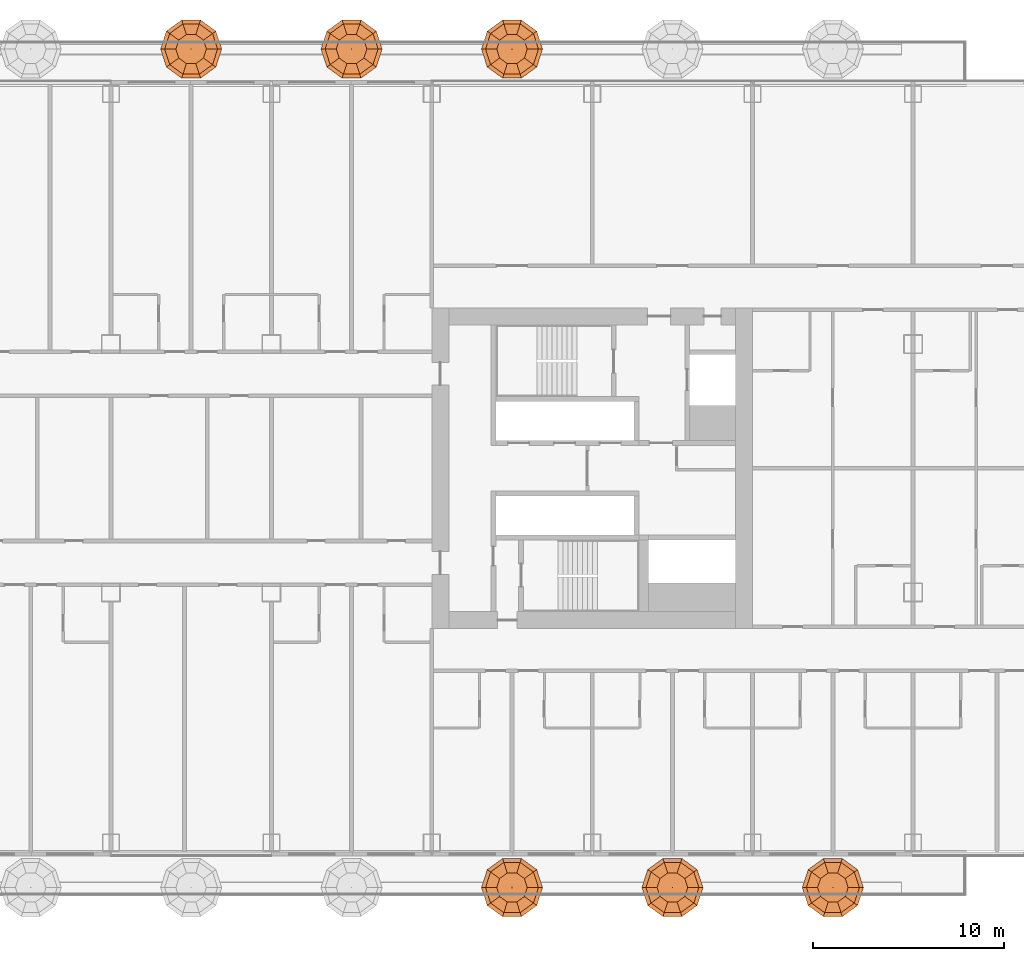
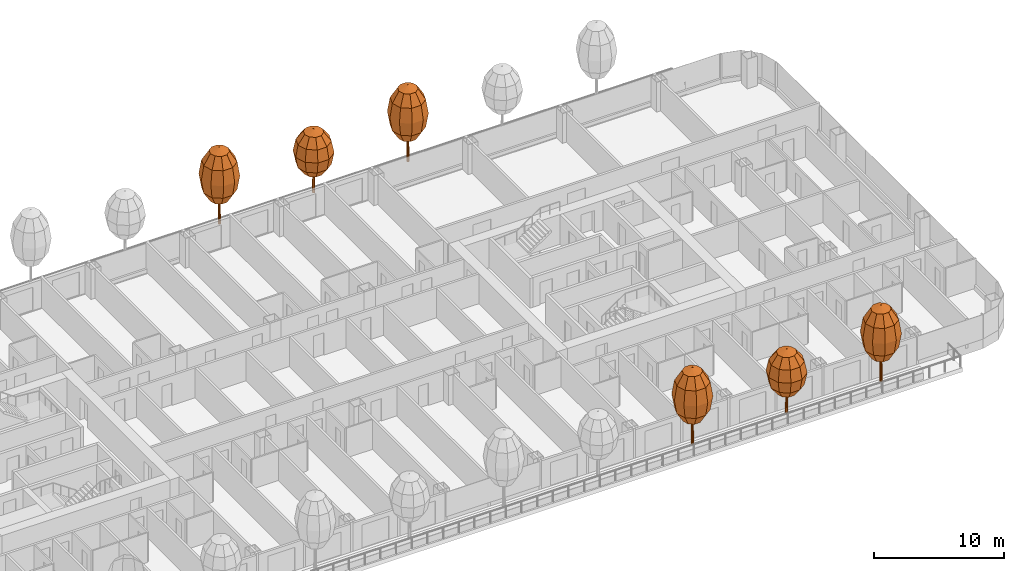
# One storey, part 36 of 37: 6 geographic elements.
"""IFC4 building model written with IfcOpenShell, lengths in metres."""

import ifcopenshell
import ifcopenshell.guid

model = None  # the IFC model being written
_history = None  # IfcOwnerHistory: only IFC2X3 demands one
_inside = {}  # id of a spatial element -> (the spatial element, [elements in it])
_under = {}  # id of a project, library or spatial element -> (it, [spatial elements below it])
_declared = {}  # id of a project -> (the project, [libraries it declares])
_typed = {}  # id of a type object -> (the type object, [elements of that type])
_made_of = {}  # id of a material, layer set ... -> (it, [elements and type objects made of it])


def new_model(schema):
    """Start an empty IFC model of exactly this schema.

    Asked for "IFC4X3", IfcOpenShell would pick the latest addendum, in which some entities
    have other attributes; the version numbers below select the first issue.
    IFC2X3 requires an IfcOwnerHistory on every rooted entity: one is made here for all.
    """
    global model, _history
    if schema == "IFC4X3":
        model = ifcopenshell.file(schema_version=(4, 3, 0, 0))
    else:
        model = ifcopenshell.file(schema=schema)
    _inside.clear()
    _under.clear()
    _declared.clear()
    _typed.clear()
    _made_of.clear()
    _history = None
    if model.schema == "IFC2X3":
        org = make("IfcOrganization", Name="unknown")
        user = make(
            "IfcPersonAndOrganization",
            ThePerson=make("IfcPerson", FamilyName="unknown"),
            TheOrganization=org,
        )
        app = make(
            "IfcApplication",
            ApplicationDeveloper=org,
            Version="unknown",
            ApplicationFullName="unknown",
            ApplicationIdentifier="unknown",
        )
        _history = make(
            "IfcOwnerHistory",
            OwningUser=user,
            OwningApplication=app,
            ChangeAction="ADDED",
            CreationDate=0,
        )
    return model


def make(cls, **values):
    """One entity of the class cls with the attributes given. An attribute that is None is left unset."""
    return model.create_entity(
        cls, **{name: value for name, value in values.items() if value is not None}
    )


def rooted(cls, **values):
    """An entity with a GlobalId (a new one), such as an element, a storey or a relation."""
    return make(cls, GlobalId=ifcopenshell.guid.new(), OwnerHistory=_history, **values)


def si_unit(unit_type, name, prefix=None):
    """IfcSIUnit, for example si_unit("LENGTHUNIT", "METRE", prefix="MILLI")."""
    return make("IfcSIUnit", UnitType=unit_type, Prefix=prefix, Name=name)


def assignment(units):
    """IfcUnitAssignment: the units of a project."""
    return None if units is None else make("IfcUnitAssignment", Units=units)


def point(xyz):
    """IfcCartesianPoint."""
    return None if xyz is None else make("IfcCartesianPoint", Coordinates=xyz)


def direction(xyz):
    """IfcDirection."""
    return None if xyz is None else make("IfcDirection", DirectionRatios=xyz)


def frame(location, z_axis=None, x_axis=None):
    """IfcAxis2Placement3D, a coordinate frame: its origin and axes. An axis left out is left unset."""
    return make(
        "IfcAxis2Placement3D",
        Location=point(location),
        Axis=direction(z_axis),
        RefDirection=direction(x_axis),
    )


def origin():
    """The frame at (0, 0, 0) with its axes left unset."""
    return frame((0.0, 0.0, 0.0))


def place(relative_to, where):
    """IfcLocalPlacement: puts the frame where relative to a parent placement (None: the world)."""
    return make(
        "IfcLocalPlacement", PlacementRelTo=relative_to, RelativePlacement=where
    )


def context(
    kind, dimensions, precision=None, world=None, true_north=None, identifier=None
):
    """IfcGeometricRepresentationContext, for example the 3D "Model" context."""
    return make(
        "IfcGeometricRepresentationContext",
        ContextIdentifier=identifier,
        ContextType=kind,
        CoordinateSpaceDimension=dimensions,
        Precision=precision,
        WorldCoordinateSystem=world,
        TrueNorth=true_north,
    )


def subcontext(parent, identifier, kind, view, scale=None):
    """IfcGeometricRepresentationSubContext, for example "Body" below "Model"."""
    return make(
        "IfcGeometricRepresentationSubContext",
        ContextIdentifier=identifier,
        ContextType=kind,
        ParentContext=parent,
        TargetScale=scale,
        TargetView=view,
    )


def project(units=None, contexts=None):
    """IfcProject with its units and contexts."""
    return rooted(
        "IfcProject",
        Name="project",
        RepresentationContexts=contexts,
        UnitsInContext=assignment(units),
    )


def spatial(cls, under=None, at=None, **own):
    """A site, building, storey or space (cls), placed at a placement, below another one or the project."""
    s = rooted(cls, ObjectPlacement=at, **own)
    if under is not None:
        _under.setdefault(under.id(), (under, []))[1].append(s)
    return s


def point_list(points):
    """IfcCartesianPointList2D or 3D."""
    cls = (
        "IfcCartesianPointList2D" if len(points[0]) == 2 else "IfcCartesianPointList3D"
    )
    return make(cls, CoordList=points)


def triangles(points, corners, closed=None, point_numbers=None):
    """IfcTriangulatedFaceSet: each triangle names its three corners, points numbered from 1."""
    return make(
        "IfcTriangulatedFaceSet",
        Coordinates=point_list(points),
        Closed=closed,
        CoordIndex=corners,
        PnIndex=point_numbers,
    )


def shape(context_of_items, identifier, shape_type, items):
    """IfcShapeRepresentation: the items that make up one representation, for example the "Body"."""
    return make(
        "IfcShapeRepresentation",
        ContextOfItems=context_of_items,
        RepresentationIdentifier=identifier,
        RepresentationType=shape_type,
        Items=items,
    )


def material(Name=None, Category=None):
    """IfcMaterial."""
    return make("IfcMaterial", Name=Name, Category=Category)


def made_of(thing, what):
    """Note that an element or type object is made of a material, layer set ...; save() writes the relation."""
    if what is not None:
        _made_of.setdefault(what.id(), (what, []))[1].append(thing)
    return thing


def type_object(cls, material=None, **own):
    """A type object (cls), such as IfcWallType, which elements share."""
    return made_of(rooted(cls, **own), material)


def element(
    cls,
    number,
    at=None,
    inside=None,
    cuts=None,
    type_object=None,
    material=None,
    context=None,
    identifier="Body",
    shape_type=None,
    held_by="IfcProductDefinitionShape",
    body=None,
    shapes=None,
    **own,
):
    """One element of the class cls, such as IfcWall. Its Tag is "e" and its number.

    at: its placement. inside: the storey or other place that contains it. cuts: it is an
    opening in that element (IfcRelVoidsElement). A single representation is given by context,
    identifier, shape_type and body (its items); several are given by shapes. held_by: the class
    of the entity that holds the representations. save() writes the other relations.
    """
    e = rooted(cls, Tag="e%d" % number, ObjectPlacement=at, **own)
    if body is not None:
        shapes = [shape(context, identifier, shape_type, body)]
    if shapes is not None:
        e.Representation = make(held_by, Representations=shapes)
    if inside is not None:
        _inside.setdefault(inside.id(), (inside, []))[1].append(e)
    if cuts is not None:
        rooted(
            "IfcRelVoidsElement", RelatingBuildingElement=cuts, RelatedOpeningElement=e
        )
    if type_object is not None:
        _typed.setdefault(type_object.id(), (type_object, []))[1].append(e)
    return made_of(e, material)


def aggregate(whole, parts):
    """IfcRelAggregates: a whole, such as a stair, and the parts it consists of."""
    return rooted("IfcRelAggregates", RelatingObject=whole, RelatedObjects=parts)


def save(model, path):
    """Write the relations noted so far, then the file.

    IfcRelAggregates (storeys below a building ...), IfcRelContainedInSpatialStructure (elements
    in a storey), IfcRelDefinesByType, IfcRelAssociatesMaterial and IfcRelDeclares: one each for
    every whole, place, type object, material and project.
    """
    for whole, parts in _under.values():
        aggregate(whole, parts)
    for where, things in _inside.values():
        rooted(
            "IfcRelContainedInSpatialStructure",
            RelatedElements=things,
            RelatingStructure=where,
        )
    for kind, things in _typed.values():
        rooted("IfcRelDefinesByType", RelatedObjects=things, RelatingType=kind)
    for what, things in _made_of.values():
        rooted("IfcRelAssociatesMaterial", RelatedObjects=things, RelatingMaterial=what)
    for by, libraries in _declared.values():
        rooted("IfcRelDeclares", RelatingContext=by, RelatedDefinitions=libraries)
    model.write(path)


model = new_model("IFC4")

# Units and contexts
model_context = context("Model", 3, precision=1e-05, world=origin(), true_north=direction((0.0, 1.0)))
body_context = subcontext(model_context, "Body", "Model", "MODEL_VIEW")
ifc_project = project(units=[si_unit("LENGTHUNIT", "METRE"), si_unit("AREAUNIT", "SQUARE_METRE"), si_unit("VOLUMEUNIT", "CUBIC_METRE"), si_unit("PLANEANGLEUNIT", "RADIAN"), si_unit("MASSUNIT", "GRAM", prefix="KILO")], contexts=[model_context])

# Site, building, storey
site_placement = place(None, origin())
site = spatial("IfcSite", under=ifc_project, at=site_placement, CompositionType="ELEMENT")
building_placement = place(site_placement, origin())
building = spatial("IfcBuilding", under=site, at=building_placement, Name="Hakoniwa Tower and Hamabe Station Hall", CompositionType="ELEMENT")
storey_placement = place(building_placement, frame((0.0, 0.0, 39.0)))
storey = spatial("IfcBuildingStorey", under=building, at=storey_placement, Name="L10", CompositionType="ELEMENT", Elevation=39.0)

# Geographic elements
ifc_material_1 = material(Name="Tree foliage")
geographic_element_type_1 = type_object("IfcGeographicElementType", Name="Japanese maple 7.2 m", PredefinedType="USERDEFINED", material=ifc_material_1)
geographic_element_1_placement = place(storey_placement, frame((4.199951171875, 21.949951171875, 0.89990234375)))
element("IfcGeographicElement", 1, at=geographic_element_1_placement, inside=storey, type_object=geographic_element_type_1, Name="Japanese maple 7-2 m", ObjectType="TREE", PredefinedType="USERDEFINED", context=body_context, shape_type="Tessellation", body=[
    triangles([(0.125, 0.0, 0.0), (0.08837890625, 0.08837890625, 0.0), (0.0, 0.125, 0.0), (-0.08837890625, 0.08837890625, 0.0), (-0.125, 0.0, 0.0), (-0.08837890625, -0.08837890625, 0.0), (0.0, -0.125, 0.0), (0.08837890625, -0.08837890625, 0.0), (0.074951171875, 0.0, 4.348876953125), (0.052978515625, 0.052978515625, 4.348876953125), (0.0, 0.074951171875, 4.348876953125), (-0.052978515625, 0.052978515625, 4.348876953125), (-0.074951171875, 0.0, 4.348876953125), (-0.052978515625, -0.052978515625, 4.348876953125), (0.0, -0.074951171875, 4.348876953125), (0.052978515625, -0.052978515625, 4.348876953125), (0.0, 0.0, 0.0), (0.0, 0.0, 4.348876953125)], [[1, 2, 10], [1, 10, 9], [17, 2, 1], [18, 9, 10], [2, 3, 11], [2, 11, 10], [17, 3, 2], [18, 10, 11], [3, 4, 12], [3, 12, 11], [17, 4, 3], [18, 11, 12], [4, 5, 13], [4, 13, 12], [17, 5, 4], [18, 12, 13], [5, 6, 14], [5, 14, 13], [17, 6, 5], [18, 13, 14], [6, 7, 15], [6, 15, 14], [17, 7, 6], [18, 14, 15], [7, 8, 16], [7, 16, 15], [17, 8, 7], [18, 15, 16], [8, 1, 9], [8, 9, 16], [17, 1, 8], [18, 16, 9]], closed=True),
    triangles([(0.0, 0.0, 2.015869140625), (0.800048828125, 0.0, 2.36328125), (0.647216796875, 0.47021484375, 2.36328125), (0.247314453125, 0.7607421875, 2.36328125), (-0.247314453125, 0.7607421875, 2.36328125), (-0.647216796875, 0.47021484375, 2.36328125), (-0.800048828125, 0.0, 2.36328125), (-0.647216796875, -0.47021484375, 2.36328125), (-0.247314453125, -0.7607421875, 2.36328125), (0.247314453125, -0.7607421875, 2.36328125), (0.647216796875, -0.47021484375, 2.36328125), (1.385498046875, 0.0, 3.31201171875), (1.12109375, 0.814453125, 3.31201171875), (0.42822265625, 1.31787109375, 3.31201171875), (-0.42822265625, 1.31787109375, 3.31201171875), (-1.12109375, 0.814453125, 3.31201171875), (-1.385498046875, 0.0, 3.31201171875), (-1.12109375, -0.814453125, 3.31201171875), (-0.42822265625, -1.31787109375, 3.31201171875), (0.42822265625, -1.31787109375, 3.31201171875), (1.12109375, -0.814453125, 3.31201171875), (1.60009765625, 0.0, 4.60791015625), (1.29443359375, 0.9404296875, 4.60791015625), (0.494384765625, 1.521728515625, 4.60791015625), (-0.494384765625, 1.521728515625, 4.60791015625), (-1.29443359375, 0.9404296875, 4.60791015625), (-1.60009765625, 0.0, 4.60791015625), (-1.29443359375, -0.9404296875, 4.60791015625), (-0.494384765625, -1.521728515625, 4.60791015625), (0.494384765625, -1.521728515625, 4.60791015625), (1.29443359375, -0.9404296875, 4.60791015625), (1.385498046875, 0.0, 5.904052734375), (1.12109375, 0.814453125, 5.904052734375), (0.42822265625, 1.31787109375, 5.904052734375), (-0.42822265625, 1.31787109375, 5.904052734375), (-1.12109375, 0.814453125, 5.904052734375), (-1.385498046875, 0.0, 5.904052734375), (-1.12109375, -0.814453125, 5.904052734375), (-0.42822265625, -1.31787109375, 5.904052734375), (0.42822265625, -1.31787109375, 5.904052734375), (1.12109375, -0.814453125, 5.904052734375), (0.800048828125, 0.0, 6.852783203125), (0.647216796875, 0.47021484375, 6.852783203125), (0.247314453125, 0.7607421875, 6.852783203125), (-0.247314453125, 0.7607421875, 6.852783203125), (-0.647216796875, 0.47021484375, 6.852783203125), (-0.800048828125, 0.0, 6.852783203125), (-0.647216796875, -0.47021484375, 6.852783203125), (-0.247314453125, -0.7607421875, 6.852783203125), (0.247314453125, -0.7607421875, 6.852783203125), (0.647216796875, -0.47021484375, 6.852783203125), (0.0, 0.0, 7.199951171875)], [[1, 3, 2], [1, 4, 3], [1, 5, 4], [1, 6, 5], [1, 7, 6], [1, 8, 7], [1, 9, 8], [1, 10, 9], [1, 11, 10], [1, 2, 11], [2, 3, 13], [2, 13, 12], [3, 4, 14], [3, 14, 13], [4, 5, 15], [4, 15, 14], [5, 6, 16], [5, 16, 15], [6, 7, 17], [6, 17, 16], [7, 8, 18], [7, 18, 17], [8, 9, 19], [8, 19, 18], [9, 10, 20], [9, 20, 19], [10, 11, 21], [10, 21, 20], [11, 2, 12], [11, 12, 21], [12, 13, 23], [12, 23, 22], [13, 14, 24], [13, 24, 23], [14, 15, 25], [14, 25, 24], [15, 16, 26], [15, 26, 25], [16, 17, 27], [16, 27, 26], [17, 18, 28], [17, 28, 27], [18, 19, 29], [18, 29, 28], [19, 20, 30], [19, 30, 29], [20, 21, 31], [20, 31, 30], [21, 12, 22], [21, 22, 31], [22, 23, 33], [22, 33, 32], [23, 24, 34], [23, 34, 33], [24, 25, 35], [24, 35, 34], [25, 26, 36], [25, 36, 35], [26, 27, 37], [26, 37, 36], [27, 28, 38], [27, 38, 37], [28, 29, 39], [28, 39, 38], [29, 30, 40], [29, 40, 39], [30, 31, 41], [30, 41, 40], [31, 22, 32], [31, 32, 41], [32, 33, 43], [32, 43, 42], [33, 34, 44], [33, 44, 43], [34, 35, 45], [34, 45, 44], [35, 36, 46], [35, 46, 45], [36, 37, 47], [36, 47, 46], [37, 38, 48], [37, 48, 47], [38, 39, 49], [38, 49, 48], [39, 40, 50], [39, 50, 49], [40, 41, 51], [40, 51, 50], [41, 32, 42], [41, 42, 51], [52, 42, 43], [52, 43, 44], [52, 44, 45], [52, 45, 46], [52, 46, 47], [52, 47, 48], [52, 48, 49], [52, 49, 50], [52, 50, 51], [52, 51, 42]], closed=True),
])
geographic_element_2_placement = place(storey_placement, frame((21.0, 21.949951171875, 0.89990234375)))
element("IfcGeographicElement", 2, at=geographic_element_2_placement, inside=storey, type_object=geographic_element_type_1, Name="Japanese maple 7-2 m", ObjectType="TREE", PredefinedType="USERDEFINED", context=body_context, shape_type="Tessellation", body=[
    triangles([(0.125, 0.0, 0.0), (0.08837890625, 0.08837890625, 0.0), (0.0, 0.125, 0.0), (-0.08837890625, 0.08837890625, 0.0), (-0.125, 0.0, 0.0), (-0.08837890625, -0.08837890625, 0.0), (0.0, -0.125, 0.0), (0.08837890625, -0.08837890625, 0.0), (0.074951171875, 0.0, 4.348876953125), (0.052978515625, 0.052978515625, 4.348876953125), (0.0, 0.074951171875, 4.348876953125), (-0.052978515625, 0.052978515625, 4.348876953125), (-0.074951171875, 0.0, 4.348876953125), (-0.052978515625, -0.052978515625, 4.348876953125), (0.0, -0.074951171875, 4.348876953125), (0.052978515625, -0.052978515625, 4.348876953125), (0.0, 0.0, 0.0), (0.0, 0.0, 4.348876953125)], [[1, 2, 10], [1, 10, 9], [17, 2, 1], [18, 9, 10], [2, 3, 11], [2, 11, 10], [17, 3, 2], [18, 10, 11], [3, 4, 12], [3, 12, 11], [17, 4, 3], [18, 11, 12], [4, 5, 13], [4, 13, 12], [17, 5, 4], [18, 12, 13], [5, 6, 14], [5, 14, 13], [17, 6, 5], [18, 13, 14], [6, 7, 15], [6, 15, 14], [17, 7, 6], [18, 14, 15], [7, 8, 16], [7, 16, 15], [17, 8, 7], [18, 15, 16], [8, 1, 9], [8, 9, 16], [17, 1, 8], [18, 16, 9]], closed=True),
    triangles([(0.0, 0.0, 2.015869140625), (0.800048828125, 0.0, 2.36328125), (0.647216796875, 0.47021484375, 2.36328125), (0.247314453125, 0.7607421875, 2.36328125), (-0.247314453125, 0.7607421875, 2.36328125), (-0.647216796875, 0.47021484375, 2.36328125), (-0.800048828125, 0.0, 2.36328125), (-0.647216796875, -0.47021484375, 2.36328125), (-0.247314453125, -0.7607421875, 2.36328125), (0.247314453125, -0.7607421875, 2.36328125), (0.647216796875, -0.47021484375, 2.36328125), (1.385498046875, 0.0, 3.31201171875), (1.12109375, 0.814453125, 3.31201171875), (0.42822265625, 1.31787109375, 3.31201171875), (-0.42822265625, 1.31787109375, 3.31201171875), (-1.12109375, 0.814453125, 3.31201171875), (-1.385498046875, 0.0, 3.31201171875), (-1.12109375, -0.814453125, 3.31201171875), (-0.42822265625, -1.31787109375, 3.31201171875), (0.42822265625, -1.31787109375, 3.31201171875), (1.12109375, -0.814453125, 3.31201171875), (1.60009765625, 0.0, 4.60791015625), (1.29443359375, 0.9404296875, 4.60791015625), (0.494384765625, 1.521728515625, 4.60791015625), (-0.494384765625, 1.521728515625, 4.60791015625), (-1.29443359375, 0.9404296875, 4.60791015625), (-1.60009765625, 0.0, 4.60791015625), (-1.29443359375, -0.9404296875, 4.60791015625), (-0.494384765625, -1.521728515625, 4.60791015625), (0.494384765625, -1.521728515625, 4.60791015625), (1.29443359375, -0.9404296875, 4.60791015625), (1.385498046875, 0.0, 5.904052734375), (1.12109375, 0.814453125, 5.904052734375), (0.42822265625, 1.31787109375, 5.904052734375), (-0.42822265625, 1.31787109375, 5.904052734375), (-1.12109375, 0.814453125, 5.904052734375), (-1.385498046875, 0.0, 5.904052734375), (-1.12109375, -0.814453125, 5.904052734375), (-0.42822265625, -1.31787109375, 5.904052734375), (0.42822265625, -1.31787109375, 5.904052734375), (1.12109375, -0.814453125, 5.904052734375), (0.800048828125, 0.0, 6.852783203125), (0.647216796875, 0.47021484375, 6.852783203125), (0.247314453125, 0.7607421875, 6.852783203125), (-0.247314453125, 0.7607421875, 6.852783203125), (-0.647216796875, 0.47021484375, 6.852783203125), (-0.800048828125, 0.0, 6.852783203125), (-0.647216796875, -0.47021484375, 6.852783203125), (-0.247314453125, -0.7607421875, 6.852783203125), (0.247314453125, -0.7607421875, 6.852783203125), (0.647216796875, -0.47021484375, 6.852783203125), (0.0, 0.0, 7.199951171875)], [[1, 3, 2], [1, 4, 3], [1, 5, 4], [1, 6, 5], [1, 7, 6], [1, 8, 7], [1, 9, 8], [1, 10, 9], [1, 11, 10], [1, 2, 11], [2, 3, 13], [2, 13, 12], [3, 4, 14], [3, 14, 13], [4, 5, 15], [4, 15, 14], [5, 6, 16], [5, 16, 15], [6, 7, 17], [6, 17, 16], [7, 8, 18], [7, 18, 17], [8, 9, 19], [8, 19, 18], [9, 10, 20], [9, 20, 19], [10, 11, 21], [10, 21, 20], [11, 2, 12], [11, 12, 21], [12, 13, 23], [12, 23, 22], [13, 14, 24], [13, 24, 23], [14, 15, 25], [14, 25, 24], [15, 16, 26], [15, 26, 25], [16, 17, 27], [16, 27, 26], [17, 18, 28], [17, 28, 27], [18, 19, 29], [18, 29, 28], [19, 20, 30], [19, 30, 29], [20, 21, 31], [20, 31, 30], [21, 12, 22], [21, 22, 31], [22, 23, 33], [22, 33, 32], [23, 24, 34], [23, 34, 33], [24, 25, 35], [24, 35, 34], [25, 26, 36], [25, 36, 35], [26, 27, 37], [26, 37, 36], [27, 28, 38], [27, 38, 37], [28, 29, 39], [28, 39, 38], [29, 30, 40], [29, 40, 39], [30, 31, 41], [30, 41, 40], [31, 22, 32], [31, 32, 41], [32, 33, 43], [32, 43, 42], [33, 34, 44], [33, 44, 43], [34, 35, 45], [34, 45, 44], [35, 36, 46], [35, 46, 45], [36, 37, 47], [36, 47, 46], [37, 38, 48], [37, 48, 47], [38, 39, 49], [38, 49, 48], [39, 40, 50], [39, 50, 49], [40, 41, 51], [40, 51, 50], [41, 32, 42], [41, 42, 51], [52, 42, 43], [52, 43, 44], [52, 44, 45], [52, 45, 46], [52, 46, 47], [52, 47, 48], [52, 48, 49], [52, 49, 50], [52, 50, 51], [52, 51, 42]], closed=True),
])
geographic_element_3_placement = place(storey_placement, frame((21.0, -21.949951171875, 0.89990234375)))
element("IfcGeographicElement", 3, at=geographic_element_3_placement, inside=storey, type_object=geographic_element_type_1, Name="Japanese maple 7-2 m", ObjectType="TREE", PredefinedType="USERDEFINED", context=body_context, shape_type="Tessellation", body=[
    triangles([(0.125, 0.0, 0.0), (0.08837890625, 0.08837890625, 0.0), (0.0, 0.125, 0.0), (-0.08837890625, 0.08837890625, 0.0), (-0.125, 0.0, 0.0), (-0.08837890625, -0.08837890625, 0.0), (0.0, -0.125, 0.0), (0.08837890625, -0.08837890625, 0.0), (0.074951171875, 0.0, 4.348876953125), (0.052978515625, 0.052978515625, 4.348876953125), (0.0, 0.074951171875, 4.348876953125), (-0.052978515625, 0.052978515625, 4.348876953125), (-0.074951171875, 0.0, 4.348876953125), (-0.052978515625, -0.052978515625, 4.348876953125), (0.0, -0.074951171875, 4.348876953125), (0.052978515625, -0.052978515625, 4.348876953125), (0.0, 0.0, 0.0), (0.0, 0.0, 4.348876953125)], [[1, 2, 10], [1, 10, 9], [17, 2, 1], [18, 9, 10], [2, 3, 11], [2, 11, 10], [17, 3, 2], [18, 10, 11], [3, 4, 12], [3, 12, 11], [17, 4, 3], [18, 11, 12], [4, 5, 13], [4, 13, 12], [17, 5, 4], [18, 12, 13], [5, 6, 14], [5, 14, 13], [17, 6, 5], [18, 13, 14], [6, 7, 15], [6, 15, 14], [17, 7, 6], [18, 14, 15], [7, 8, 16], [7, 16, 15], [17, 8, 7], [18, 15, 16], [8, 1, 9], [8, 9, 16], [17, 1, 8], [18, 16, 9]], closed=True),
    triangles([(0.0, 0.0, 2.015869140625), (0.800048828125, 0.0, 2.36328125), (0.647216796875, 0.47021484375, 2.36328125), (0.247314453125, 0.7607421875, 2.36328125), (-0.247314453125, 0.7607421875, 2.36328125), (-0.647216796875, 0.47021484375, 2.36328125), (-0.800048828125, 0.0, 2.36328125), (-0.647216796875, -0.47021484375, 2.36328125), (-0.247314453125, -0.7607421875, 2.36328125), (0.247314453125, -0.7607421875, 2.36328125), (0.647216796875, -0.47021484375, 2.36328125), (1.385498046875, 0.0, 3.31201171875), (1.12109375, 0.814453125, 3.31201171875), (0.42822265625, 1.31787109375, 3.31201171875), (-0.42822265625, 1.31787109375, 3.31201171875), (-1.12109375, 0.814453125, 3.31201171875), (-1.385498046875, 0.0, 3.31201171875), (-1.12109375, -0.814453125, 3.31201171875), (-0.42822265625, -1.31787109375, 3.31201171875), (0.42822265625, -1.31787109375, 3.31201171875), (1.12109375, -0.814453125, 3.31201171875), (1.60009765625, 0.0, 4.60791015625), (1.29443359375, 0.9404296875, 4.60791015625), (0.494384765625, 1.521728515625, 4.60791015625), (-0.494384765625, 1.521728515625, 4.60791015625), (-1.29443359375, 0.9404296875, 4.60791015625), (-1.60009765625, 0.0, 4.60791015625), (-1.29443359375, -0.9404296875, 4.60791015625), (-0.494384765625, -1.521728515625, 4.60791015625), (0.494384765625, -1.521728515625, 4.60791015625), (1.29443359375, -0.9404296875, 4.60791015625), (1.385498046875, 0.0, 5.904052734375), (1.12109375, 0.814453125, 5.904052734375), (0.42822265625, 1.31787109375, 5.904052734375), (-0.42822265625, 1.31787109375, 5.904052734375), (-1.12109375, 0.814453125, 5.904052734375), (-1.385498046875, 0.0, 5.904052734375), (-1.12109375, -0.814453125, 5.904052734375), (-0.42822265625, -1.31787109375, 5.904052734375), (0.42822265625, -1.31787109375, 5.904052734375), (1.12109375, -0.814453125, 5.904052734375), (0.800048828125, 0.0, 6.852783203125), (0.647216796875, 0.47021484375, 6.852783203125), (0.247314453125, 0.7607421875, 6.852783203125), (-0.247314453125, 0.7607421875, 6.852783203125), (-0.647216796875, 0.47021484375, 6.852783203125), (-0.800048828125, 0.0, 6.852783203125), (-0.647216796875, -0.47021484375, 6.852783203125), (-0.247314453125, -0.7607421875, 6.852783203125), (0.247314453125, -0.7607421875, 6.852783203125), (0.647216796875, -0.47021484375, 6.852783203125), (0.0, 0.0, 7.199951171875)], [[1, 3, 2], [1, 4, 3], [1, 5, 4], [1, 6, 5], [1, 7, 6], [1, 8, 7], [1, 9, 8], [1, 10, 9], [1, 11, 10], [1, 2, 11], [2, 3, 13], [2, 13, 12], [3, 4, 14], [3, 14, 13], [4, 5, 15], [4, 15, 14], [5, 6, 16], [5, 16, 15], [6, 7, 17], [6, 17, 16], [7, 8, 18], [7, 18, 17], [8, 9, 19], [8, 19, 18], [9, 10, 20], [9, 20, 19], [10, 11, 21], [10, 21, 20], [11, 2, 12], [11, 12, 21], [12, 13, 23], [12, 23, 22], [13, 14, 24], [13, 24, 23], [14, 15, 25], [14, 25, 24], [15, 16, 26], [15, 26, 25], [16, 17, 27], [16, 27, 26], [17, 18, 28], [17, 28, 27], [18, 19, 29], [18, 29, 28], [19, 20, 30], [19, 30, 29], [20, 21, 31], [20, 31, 30], [21, 12, 22], [21, 22, 31], [22, 23, 33], [22, 33, 32], [23, 24, 34], [23, 34, 33], [24, 25, 35], [24, 35, 34], [25, 26, 36], [25, 36, 35], [26, 27, 37], [26, 37, 36], [27, 28, 38], [27, 38, 37], [28, 29, 39], [28, 39, 38], [29, 30, 40], [29, 40, 39], [30, 31, 41], [30, 41, 40], [31, 22, 32], [31, 32, 41], [32, 33, 43], [32, 43, 42], [33, 34, 44], [33, 44, 43], [34, 35, 45], [34, 45, 44], [35, 36, 46], [35, 46, 45], [36, 37, 47], [36, 47, 46], [37, 38, 48], [37, 48, 47], [38, 39, 49], [38, 49, 48], [39, 40, 50], [39, 50, 49], [40, 41, 51], [40, 51, 50], [41, 32, 42], [41, 42, 51], [52, 42, 43], [52, 43, 44], [52, 44, 45], [52, 45, 46], [52, 46, 47], [52, 47, 48], [52, 48, 49], [52, 49, 50], [52, 50, 51], [52, 51, 42]], closed=True),
])
geographic_element_4_placement = place(storey_placement, frame((37.800048828125, -21.949951171875, 0.89990234375)))
element("IfcGeographicElement", 4, at=geographic_element_4_placement, inside=storey, type_object=geographic_element_type_1, Name="Japanese maple 7-2 m", ObjectType="TREE", PredefinedType="USERDEFINED", context=body_context, shape_type="Tessellation", body=[
    triangles([(0.125, 0.0, 0.0), (0.08837890625, 0.08837890625, 0.0), (0.0, 0.125, 0.0), (-0.08837890625, 0.08837890625, 0.0), (-0.125, 0.0, 0.0), (-0.08837890625, -0.08837890625, 0.0), (0.0, -0.125, 0.0), (0.08837890625, -0.08837890625, 0.0), (0.074951171875, 0.0, 4.348876953125), (0.052978515625, 0.052978515625, 4.348876953125), (0.0, 0.074951171875, 4.348876953125), (-0.052978515625, 0.052978515625, 4.348876953125), (-0.074951171875, 0.0, 4.348876953125), (-0.052978515625, -0.052978515625, 4.348876953125), (0.0, -0.074951171875, 4.348876953125), (0.052978515625, -0.052978515625, 4.348876953125), (0.0, 0.0, 0.0), (0.0, 0.0, 4.348876953125)], [[1, 2, 10], [1, 10, 9], [17, 2, 1], [18, 9, 10], [2, 3, 11], [2, 11, 10], [17, 3, 2], [18, 10, 11], [3, 4, 12], [3, 12, 11], [17, 4, 3], [18, 11, 12], [4, 5, 13], [4, 13, 12], [17, 5, 4], [18, 12, 13], [5, 6, 14], [5, 14, 13], [17, 6, 5], [18, 13, 14], [6, 7, 15], [6, 15, 14], [17, 7, 6], [18, 14, 15], [7, 8, 16], [7, 16, 15], [17, 8, 7], [18, 15, 16], [8, 1, 9], [8, 9, 16], [17, 1, 8], [18, 16, 9]], closed=True),
    triangles([(0.0, 0.0, 2.015869140625), (0.800048828125, 0.0, 2.36328125), (0.647216796875, 0.47021484375, 2.36328125), (0.247314453125, 0.7607421875, 2.36328125), (-0.247314453125, 0.7607421875, 2.36328125), (-0.647216796875, 0.47021484375, 2.36328125), (-0.800048828125, 0.0, 2.36328125), (-0.647216796875, -0.47021484375, 2.36328125), (-0.247314453125, -0.7607421875, 2.36328125), (0.247314453125, -0.7607421875, 2.36328125), (0.647216796875, -0.47021484375, 2.36328125), (1.385498046875, 0.0, 3.31201171875), (1.12109375, 0.814453125, 3.31201171875), (0.42822265625, 1.31787109375, 3.31201171875), (-0.42822265625, 1.31787109375, 3.31201171875), (-1.12109375, 0.814453125, 3.31201171875), (-1.385498046875, 0.0, 3.31201171875), (-1.12109375, -0.814453125, 3.31201171875), (-0.42822265625, -1.31787109375, 3.31201171875), (0.42822265625, -1.31787109375, 3.31201171875), (1.12109375, -0.814453125, 3.31201171875), (1.60009765625, 0.0, 4.60791015625), (1.29443359375, 0.9404296875, 4.60791015625), (0.494384765625, 1.521728515625, 4.60791015625), (-0.494384765625, 1.521728515625, 4.60791015625), (-1.29443359375, 0.9404296875, 4.60791015625), (-1.60009765625, 0.0, 4.60791015625), (-1.29443359375, -0.9404296875, 4.60791015625), (-0.494384765625, -1.521728515625, 4.60791015625), (0.494384765625, -1.521728515625, 4.60791015625), (1.29443359375, -0.9404296875, 4.60791015625), (1.385498046875, 0.0, 5.904052734375), (1.12109375, 0.814453125, 5.904052734375), (0.42822265625, 1.31787109375, 5.904052734375), (-0.42822265625, 1.31787109375, 5.904052734375), (-1.12109375, 0.814453125, 5.904052734375), (-1.385498046875, 0.0, 5.904052734375), (-1.12109375, -0.814453125, 5.904052734375), (-0.42822265625, -1.31787109375, 5.904052734375), (0.42822265625, -1.31787109375, 5.904052734375), (1.12109375, -0.814453125, 5.904052734375), (0.800048828125, 0.0, 6.852783203125), (0.647216796875, 0.47021484375, 6.852783203125), (0.247314453125, 0.7607421875, 6.852783203125), (-0.247314453125, 0.7607421875, 6.852783203125), (-0.647216796875, 0.47021484375, 6.852783203125), (-0.800048828125, 0.0, 6.852783203125), (-0.647216796875, -0.47021484375, 6.852783203125), (-0.247314453125, -0.7607421875, 6.852783203125), (0.247314453125, -0.7607421875, 6.852783203125), (0.647216796875, -0.47021484375, 6.852783203125), (0.0, 0.0, 7.199951171875)], [[1, 3, 2], [1, 4, 3], [1, 5, 4], [1, 6, 5], [1, 7, 6], [1, 8, 7], [1, 9, 8], [1, 10, 9], [1, 11, 10], [1, 2, 11], [2, 3, 13], [2, 13, 12], [3, 4, 14], [3, 14, 13], [4, 5, 15], [4, 15, 14], [5, 6, 16], [5, 16, 15], [6, 7, 17], [6, 17, 16], [7, 8, 18], [7, 18, 17], [8, 9, 19], [8, 19, 18], [9, 10, 20], [9, 20, 19], [10, 11, 21], [10, 21, 20], [11, 2, 12], [11, 12, 21], [12, 13, 23], [12, 23, 22], [13, 14, 24], [13, 24, 23], [14, 15, 25], [14, 25, 24], [15, 16, 26], [15, 26, 25], [16, 17, 27], [16, 27, 26], [17, 18, 28], [17, 28, 27], [18, 19, 29], [18, 29, 28], [19, 20, 30], [19, 30, 29], [20, 21, 31], [20, 31, 30], [21, 12, 22], [21, 22, 31], [22, 23, 33], [22, 33, 32], [23, 24, 34], [23, 34, 33], [24, 25, 35], [24, 35, 34], [25, 26, 36], [25, 36, 35], [26, 27, 37], [26, 37, 36], [27, 28, 38], [27, 38, 37], [28, 29, 39], [28, 39, 38], [29, 30, 40], [29, 40, 39], [30, 31, 41], [30, 41, 40], [31, 22, 32], [31, 32, 41], [32, 33, 43], [32, 43, 42], [33, 34, 44], [33, 44, 43], [34, 35, 45], [34, 45, 44], [35, 36, 46], [35, 46, 45], [36, 37, 47], [36, 47, 46], [37, 38, 48], [37, 48, 47], [38, 39, 49], [38, 49, 48], [39, 40, 50], [39, 50, 49], [40, 41, 51], [40, 51, 50], [41, 32, 42], [41, 42, 51], [52, 42, 43], [52, 43, 44], [52, 44, 45], [52, 45, 46], [52, 46, 47], [52, 47, 48], [52, 48, 49], [52, 49, 50], [52, 50, 51], [52, 51, 42]], closed=True),
])
ifc_material_2 = material(Name="Tree foliage")
geographic_element_type_2 = type_object("IfcGeographicElementType", Name="Osmanthus 6.0 m", PredefinedType="USERDEFINED", material=ifc_material_2)
geographic_element_5_placement = place(storey_placement, frame((12.60009765625, 21.949951171875, 0.89990234375)))
element("IfcGeographicElement", 5, at=geographic_element_5_placement, inside=storey, type_object=geographic_element_type_2, Name="Osmanthus 6-0 m", ObjectType="TREE", PredefinedType="USERDEFINED", context=body_context, shape_type="Tessellation", body=[
    triangles([(0.125, 0.0, 0.0), (0.08837890625, 0.08837890625, 0.0), (0.0, 0.125, 0.0), (-0.08837890625, 0.08837890625, 0.0), (-0.125, 0.0, 0.0), (-0.08837890625, -0.08837890625, 0.0), (0.0, -0.125, 0.0), (0.08837890625, -0.08837890625, 0.0), (0.074951171875, 0.0, 3.6240234375), (0.052978515625, 0.052978515625, 3.6240234375), (0.0, 0.074951171875, 3.6240234375), (-0.052978515625, 0.052978515625, 3.6240234375), (-0.074951171875, 0.0, 3.6240234375), (-0.052978515625, -0.052978515625, 3.6240234375), (0.0, -0.074951171875, 3.6240234375), (0.052978515625, -0.052978515625, 3.6240234375), (0.0, 0.0, 0.0), (0.0, 0.0, 3.6240234375)], [[1, 2, 10], [1, 10, 9], [17, 2, 1], [18, 9, 10], [2, 3, 11], [2, 11, 10], [17, 3, 2], [18, 10, 11], [3, 4, 12], [3, 12, 11], [17, 4, 3], [18, 11, 12], [4, 5, 13], [4, 13, 12], [17, 5, 4], [18, 12, 13], [5, 6, 14], [5, 14, 13], [17, 6, 5], [18, 13, 14], [6, 7, 15], [6, 15, 14], [17, 7, 6], [18, 14, 15], [7, 8, 16], [7, 16, 15], [17, 8, 7], [18, 15, 16], [8, 1, 9], [8, 9, 16], [17, 1, 8], [18, 16, 9]], closed=True),
    triangles([(0.0, 0.0, 1.679931640625), (0.800048828125, 0.0, 1.969482421875), (0.647216796875, 0.47021484375, 1.969482421875), (0.247314453125, 0.7607421875, 1.969482421875), (-0.247314453125, 0.7607421875, 1.969482421875), (-0.647216796875, 0.47021484375, 1.969482421875), (-0.800048828125, 0.0, 1.969482421875), (-0.647216796875, -0.47021484375, 1.969482421875), (-0.247314453125, -0.7607421875, 1.969482421875), (0.247314453125, -0.7607421875, 1.969482421875), (0.647216796875, -0.47021484375, 1.969482421875), (1.385498046875, 0.0, 2.760009765625), (1.12109375, 0.814453125, 2.760009765625), (0.42822265625, 1.31787109375, 2.760009765625), (-0.42822265625, 1.31787109375, 2.760009765625), (-1.12109375, 0.814453125, 2.760009765625), (-1.385498046875, 0.0, 2.760009765625), (-1.12109375, -0.814453125, 2.760009765625), (-0.42822265625, -1.31787109375, 2.760009765625), (0.42822265625, -1.31787109375, 2.760009765625), (1.12109375, -0.814453125, 2.760009765625), (1.60009765625, 0.0, 3.840087890625), (1.29443359375, 0.9404296875, 3.840087890625), (0.494384765625, 1.521728515625, 3.840087890625), (-0.494384765625, 1.521728515625, 3.840087890625), (-1.29443359375, 0.9404296875, 3.840087890625), (-1.60009765625, 0.0, 3.840087890625), (-1.29443359375, -0.9404296875, 3.840087890625), (-0.494384765625, -1.521728515625, 3.840087890625), (0.494384765625, -1.521728515625, 3.840087890625), (1.29443359375, -0.9404296875, 3.840087890625), (1.385498046875, 0.0, 4.919921875), (1.12109375, 0.814453125, 4.919921875), (0.42822265625, 1.31787109375, 4.919921875), (-0.42822265625, 1.31787109375, 4.919921875), (-1.12109375, 0.814453125, 4.919921875), (-1.385498046875, 0.0, 4.919921875), (-1.12109375, -0.814453125, 4.919921875), (-0.42822265625, -1.31787109375, 4.919921875), (0.42822265625, -1.31787109375, 4.919921875), (1.12109375, -0.814453125, 4.919921875), (0.800048828125, 0.0, 5.710693359375), (0.647216796875, 0.47021484375, 5.710693359375), (0.247314453125, 0.7607421875, 5.710693359375), (-0.247314453125, 0.7607421875, 5.710693359375), (-0.647216796875, 0.47021484375, 5.710693359375), (-0.800048828125, 0.0, 5.710693359375), (-0.647216796875, -0.47021484375, 5.710693359375), (-0.247314453125, -0.7607421875, 5.710693359375), (0.247314453125, -0.7607421875, 5.710693359375), (0.647216796875, -0.47021484375, 5.710693359375), (0.0, 0.0, 6.0)], [[1, 3, 2], [1, 4, 3], [1, 5, 4], [1, 6, 5], [1, 7, 6], [1, 8, 7], [1, 9, 8], [1, 10, 9], [1, 11, 10], [1, 2, 11], [2, 3, 13], [2, 13, 12], [3, 4, 14], [3, 14, 13], [4, 5, 15], [4, 15, 14], [5, 6, 16], [5, 16, 15], [6, 7, 17], [6, 17, 16], [7, 8, 18], [7, 18, 17], [8, 9, 19], [8, 19, 18], [9, 10, 20], [9, 20, 19], [10, 11, 21], [10, 21, 20], [11, 2, 12], [11, 12, 21], [12, 13, 23], [12, 23, 22], [13, 14, 24], [13, 24, 23], [14, 15, 25], [14, 25, 24], [15, 16, 26], [15, 26, 25], [16, 17, 27], [16, 27, 26], [17, 18, 28], [17, 28, 27], [18, 19, 29], [18, 29, 28], [19, 20, 30], [19, 30, 29], [20, 21, 31], [20, 31, 30], [21, 12, 22], [21, 22, 31], [22, 23, 33], [22, 33, 32], [23, 24, 34], [23, 34, 33], [24, 25, 35], [24, 35, 34], [25, 26, 36], [25, 36, 35], [26, 27, 37], [26, 37, 36], [27, 28, 38], [27, 38, 37], [28, 29, 39], [28, 39, 38], [29, 30, 40], [29, 40, 39], [30, 31, 41], [30, 41, 40], [31, 22, 32], [31, 32, 41], [32, 33, 43], [32, 43, 42], [33, 34, 44], [33, 44, 43], [34, 35, 45], [34, 45, 44], [35, 36, 46], [35, 46, 45], [36, 37, 47], [36, 47, 46], [37, 38, 48], [37, 48, 47], [38, 39, 49], [38, 49, 48], [39, 40, 50], [39, 50, 49], [40, 41, 51], [40, 51, 50], [41, 32, 42], [41, 42, 51], [52, 42, 43], [52, 43, 44], [52, 44, 45], [52, 45, 46], [52, 46, 47], [52, 47, 48], [52, 48, 49], [52, 49, 50], [52, 50, 51], [52, 51, 42]], closed=True),
])
geographic_element_6_placement = place(storey_placement, frame((29.39990234375, -21.949951171875, 0.89990234375)))
element("IfcGeographicElement", 6, at=geographic_element_6_placement, inside=storey, type_object=geographic_element_type_2, Name="Osmanthus 6-0 m", ObjectType="TREE", PredefinedType="USERDEFINED", context=body_context, shape_type="Tessellation", body=[
    triangles([(0.125, 0.0, 0.0), (0.08837890625, 0.08837890625, 0.0), (0.0, 0.125, 0.0), (-0.08837890625, 0.08837890625, 0.0), (-0.125, 0.0, 0.0), (-0.08837890625, -0.08837890625, 0.0), (0.0, -0.125, 0.0), (0.08837890625, -0.08837890625, 0.0), (0.074951171875, 0.0, 3.6240234375), (0.052978515625, 0.052978515625, 3.6240234375), (0.0, 0.074951171875, 3.6240234375), (-0.052978515625, 0.052978515625, 3.6240234375), (-0.074951171875, 0.0, 3.6240234375), (-0.052978515625, -0.052978515625, 3.6240234375), (0.0, -0.074951171875, 3.6240234375), (0.052978515625, -0.052978515625, 3.6240234375), (0.0, 0.0, 0.0), (0.0, 0.0, 3.6240234375)], [[1, 2, 10], [1, 10, 9], [17, 2, 1], [18, 9, 10], [2, 3, 11], [2, 11, 10], [17, 3, 2], [18, 10, 11], [3, 4, 12], [3, 12, 11], [17, 4, 3], [18, 11, 12], [4, 5, 13], [4, 13, 12], [17, 5, 4], [18, 12, 13], [5, 6, 14], [5, 14, 13], [17, 6, 5], [18, 13, 14], [6, 7, 15], [6, 15, 14], [17, 7, 6], [18, 14, 15], [7, 8, 16], [7, 16, 15], [17, 8, 7], [18, 15, 16], [8, 1, 9], [8, 9, 16], [17, 1, 8], [18, 16, 9]], closed=True),
    triangles([(0.0, 0.0, 1.679931640625), (0.800048828125, 0.0, 1.969482421875), (0.647216796875, 0.47021484375, 1.969482421875), (0.247314453125, 0.7607421875, 1.969482421875), (-0.247314453125, 0.7607421875, 1.969482421875), (-0.647216796875, 0.47021484375, 1.969482421875), (-0.800048828125, 0.0, 1.969482421875), (-0.647216796875, -0.47021484375, 1.969482421875), (-0.247314453125, -0.7607421875, 1.969482421875), (0.247314453125, -0.7607421875, 1.969482421875), (0.647216796875, -0.47021484375, 1.969482421875), (1.385498046875, 0.0, 2.760009765625), (1.12109375, 0.814453125, 2.760009765625), (0.42822265625, 1.31787109375, 2.760009765625), (-0.42822265625, 1.31787109375, 2.760009765625), (-1.12109375, 0.814453125, 2.760009765625), (-1.385498046875, 0.0, 2.760009765625), (-1.12109375, -0.814453125, 2.760009765625), (-0.42822265625, -1.31787109375, 2.760009765625), (0.42822265625, -1.31787109375, 2.760009765625), (1.12109375, -0.814453125, 2.760009765625), (1.60009765625, 0.0, 3.840087890625), (1.29443359375, 0.9404296875, 3.840087890625), (0.494384765625, 1.521728515625, 3.840087890625), (-0.494384765625, 1.521728515625, 3.840087890625), (-1.29443359375, 0.9404296875, 3.840087890625), (-1.60009765625, 0.0, 3.840087890625), (-1.29443359375, -0.9404296875, 3.840087890625), (-0.494384765625, -1.521728515625, 3.840087890625), (0.494384765625, -1.521728515625, 3.840087890625), (1.29443359375, -0.9404296875, 3.840087890625), (1.385498046875, 0.0, 4.919921875), (1.12109375, 0.814453125, 4.919921875), (0.42822265625, 1.31787109375, 4.919921875), (-0.42822265625, 1.31787109375, 4.919921875), (-1.12109375, 0.814453125, 4.919921875), (-1.385498046875, 0.0, 4.919921875), (-1.12109375, -0.814453125, 4.919921875), (-0.42822265625, -1.31787109375, 4.919921875), (0.42822265625, -1.31787109375, 4.919921875), (1.12109375, -0.814453125, 4.919921875), (0.800048828125, 0.0, 5.710693359375), (0.647216796875, 0.47021484375, 5.710693359375), (0.247314453125, 0.7607421875, 5.710693359375), (-0.247314453125, 0.7607421875, 5.710693359375), (-0.647216796875, 0.47021484375, 5.710693359375), (-0.800048828125, 0.0, 5.710693359375), (-0.647216796875, -0.47021484375, 5.710693359375), (-0.247314453125, -0.7607421875, 5.710693359375), (0.247314453125, -0.7607421875, 5.710693359375), (0.647216796875, -0.47021484375, 5.710693359375), (0.0, 0.0, 6.0)], [[1, 3, 2], [1, 4, 3], [1, 5, 4], [1, 6, 5], [1, 7, 6], [1, 8, 7], [1, 9, 8], [1, 10, 9], [1, 11, 10], [1, 2, 11], [2, 3, 13], [2, 13, 12], [3, 4, 14], [3, 14, 13], [4, 5, 15], [4, 15, 14], [5, 6, 16], [5, 16, 15], [6, 7, 17], [6, 17, 16], [7, 8, 18], [7, 18, 17], [8, 9, 19], [8, 19, 18], [9, 10, 20], [9, 20, 19], [10, 11, 21], [10, 21, 20], [11, 2, 12], [11, 12, 21], [12, 13, 23], [12, 23, 22], [13, 14, 24], [13, 24, 23], [14, 15, 25], [14, 25, 24], [15, 16, 26], [15, 26, 25], [16, 17, 27], [16, 27, 26], [17, 18, 28], [17, 28, 27], [18, 19, 29], [18, 29, 28], [19, 20, 30], [19, 30, 29], [20, 21, 31], [20, 31, 30], [21, 12, 22], [21, 22, 31], [22, 23, 33], [22, 33, 32], [23, 24, 34], [23, 34, 33], [24, 25, 35], [24, 35, 34], [25, 26, 36], [25, 36, 35], [26, 27, 37], [26, 37, 36], [27, 28, 38], [27, 38, 37], [28, 29, 39], [28, 39, 38], [29, 30, 40], [29, 40, 39], [30, 31, 41], [30, 41, 40], [31, 22, 32], [31, 32, 41], [32, 33, 43], [32, 43, 42], [33, 34, 44], [33, 44, 43], [34, 35, 45], [34, 45, 44], [35, 36, 46], [35, 46, 45], [36, 37, 47], [36, 47, 46], [37, 38, 48], [37, 48, 47], [38, 39, 49], [38, 49, 48], [39, 40, 50], [39, 50, 49], [40, 41, 51], [40, 51, 50], [41, 32, 42], [41, 42, 51], [52, 42, 43], [52, 43, 44], [52, 44, 45], [52, 45, 46], [52, 46, 47], [52, 47, 48], [52, 48, 49], [52, 49, 50], [52, 50, 51], [52, 51, 42]], closed=True),
])

save(model, "model.ifc")
